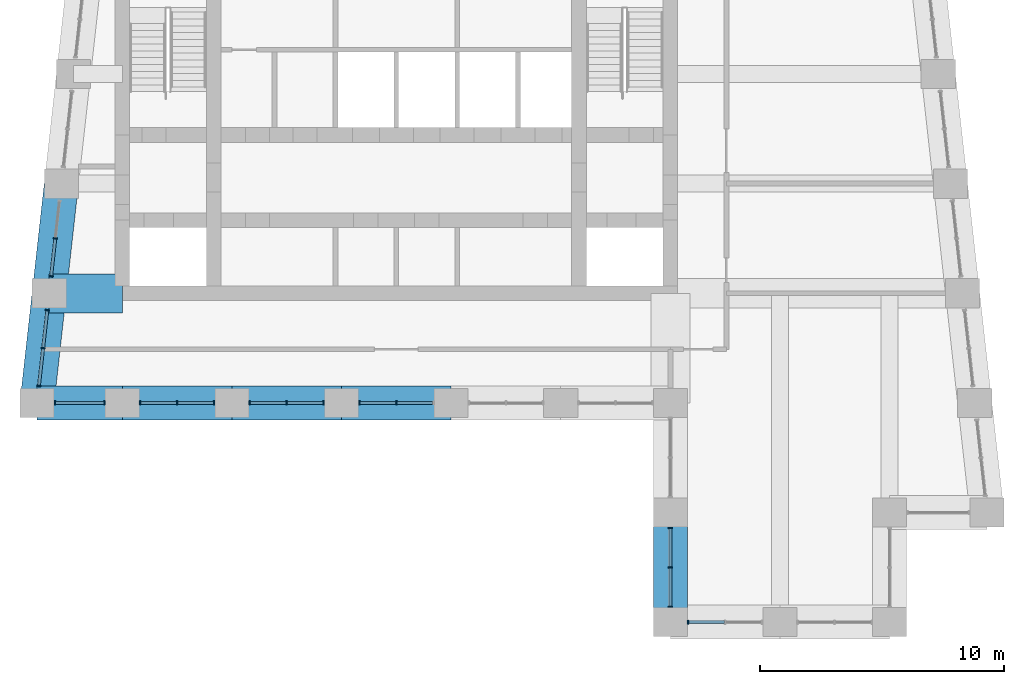
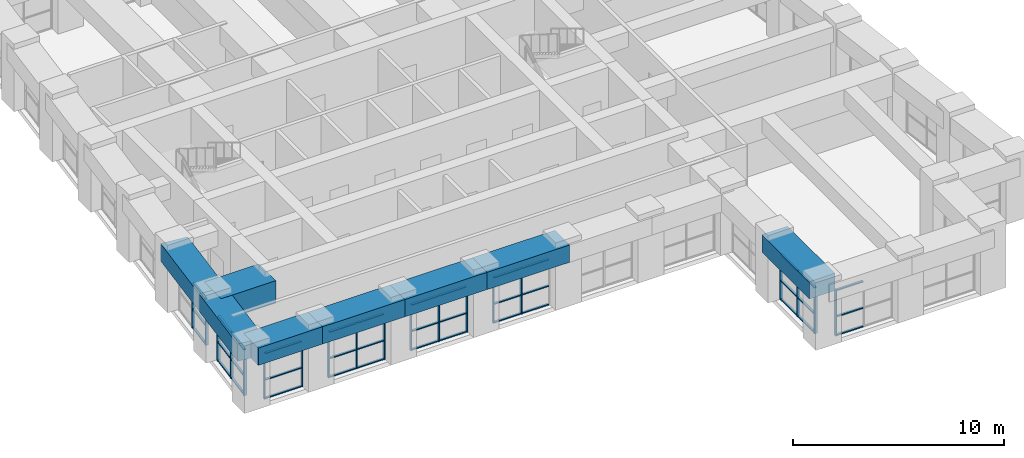
# One storey, part 2 of 15: 58 members, 8 beams, 8 elements without a shape of their own.
"""IFC4 building model written with IfcOpenShell, lengths in metres."""

from ifc_helpers import new_model, si_unit, direction, frame, origin, origin_2d, place, context, subcontext, project, spatial, rectangle, extrude, material, material_profile, profile_set, type_object, element, aggregate, save


model = new_model("IFC4")

# Units and contexts
model_context = context("Model", 3, precision=1e-05, world=origin(), true_north=direction((0.0, 1.0)))
body_context = subcontext(model_context, "Body", "Model", "MODEL_VIEW")
ifc_project = project(units=[si_unit("LENGTHUNIT", "METRE"), si_unit("AREAUNIT", "SQUARE_METRE"), si_unit("VOLUMEUNIT", "CUBIC_METRE"), si_unit("PLANEANGLEUNIT", "RADIAN"), si_unit("MASSUNIT", "GRAM", prefix="KILO")], contexts=[model_context])

# Site, building, storey
site_placement = place(None, origin())
site = spatial("IfcSite", under=ifc_project, at=site_placement, CompositionType="ELEMENT")
building_placement = place(site_placement, origin())
building = spatial("IfcBuilding", under=site, at=building_placement, Name="Kilele Tower Hotel", CompositionType="ELEMENT")
storey_placement = place(building_placement, frame((0.0, 0.0, 285.800048828125)))
storey = spatial("IfcBuildingStorey", under=building, at=storey_placement, Name="L73", CompositionType="ELEMENT", Elevation=285.800048828125)

# Beam
ifc_material_1 = material(Name="Concrete C60/75", Category="concrete")
ifc_material_profile_1 = material_profile(ifc_material_1, rectangle(XDim=1.60009765625, YDim=1.300048828125, at=origin_2d()))
ifc_profile_set_1 = profile_set([ifc_material_profile_1], Name="Concrete C60/75")
beam_type_1 = type_object("IfcBeamType", Name="Coupling girder RC 1600x1300 C60/75", PredefinedType="BEAM", material=ifc_profile_set_1)
beam_1_placement = place(storey_placement, frame((10.5, 13.5, 2.949951171875), z_axis=(1.0, 0.0, 0.0), x_axis=(0.0, 1.0, 0.0)))
element("IfcBeam", 1, at=beam_1_placement, inside=storey, type_object=beam_type_1, Name="Coupling girder G2 level CROWN", PredefinedType="BEAM", context=body_context, shape_type="SweptSolid", body=[
    extrude(rectangle(XDim=1.60009765625, YDim=1.300048828125, at=origin_2d()), origin(), (0.0, 0.0, 1.0), 3.0),
])

# Curtain wall, members
ifc_material_2 = material(Name="Aluminium curtain wall, clear double glazing", Category="aluminium")
curtain_wall_type = type_object("IfcCurtainWallType", Name="Sky bar curtain wall CW-6", PredefinedType="NOTDEFINED", material=ifc_material_2)
curtain_wall_1_placement = place(storey_placement, origin())
curtain_wall_1 = element("IfcCurtainWall", 2, at=curtain_wall_1_placement, inside=storey, type_object=curtain_wall_type, Name="Sky bar curtain wall CW-6 L73", PredefinedType="NOTDEFINED")
ifc_material_3 = material(Name="Aluminium EN AW-6063 T6", Category="aluminium")
ifc_material_profile_2 = material_profile(ifc_material_3, rectangle(XDim=0.159912109375, YDim=0.06005859375, at=origin_2d()))
ifc_profile_set_2 = profile_set([ifc_material_profile_2], Name="Aluminium EN AW-6063 T6")
member_type_1 = type_object("IfcMemberType", Name="Mullion 60x160 CW-6", PredefinedType="MULLION", material=ifc_profile_set_2)
member_1_placement = place(storey_placement, frame((10.72998046875, 9.0, 0.0), z_axis=(0.0, 0.0, 1.0), x_axis=(0.0, 1.0, 0.0)))
member_1 = element("IfcMember", 3, at=member_1_placement, type_object=member_type_1, Name="CW-6 mullion 1", PredefinedType="MULLION", context=body_context, shape_type="SweptSolid", body=[
    extrude(rectangle(XDim=0.159912109375, YDim=0.06005859375, at=origin_2d()), origin(), (0.0, 0.0, 1.0), 2.64990234375),
])
member_2_placement = place(storey_placement, frame((12.77001953125, 9.0, 0.0), z_axis=(0.0, 0.0, 1.0), x_axis=(0.0, 1.0, 0.0)))
member_2 = element("IfcMember", 4, at=member_2_placement, type_object=member_type_1, Name="CW-6 mullion 2", PredefinedType="MULLION", context=body_context, shape_type="SweptSolid", body=[
    extrude(rectangle(XDim=0.159912109375, YDim=0.06005859375, at=origin_2d()), origin(), (0.0, 0.0, 1.0), 2.64990234375),
])

curtain_wall_2_placement = place(storey_placement, origin())
curtain_wall_2 = element("IfcCurtainWall", 5, at=curtain_wall_2_placement, inside=storey, type_object=curtain_wall_type, Name="Sky bar curtain wall CW-6 L73", PredefinedType="NOTDEFINED")
member_3_placement = place(storey_placement, frame((14.22998046875, 9.0, 0.0), z_axis=(0.0, 0.0, 1.0), x_axis=(0.0, 1.0, 0.0)))
member_3 = element("IfcMember", 6, at=member_3_placement, type_object=member_type_1, Name="CW-6 mullion 1", PredefinedType="MULLION", context=body_context, shape_type="SweptSolid", body=[
    extrude(rectangle(XDim=0.159912109375, YDim=0.06005859375, at=origin_2d()), origin(), (0.0, 0.0, 1.0), 2.64990234375),
])
member_4_placement = place(storey_placement, frame((15.75, 9.0, 0.0), z_axis=(0.0, 0.0, 1.0), x_axis=(0.0, 1.0, 0.0)))
member_4 = element("IfcMember", 7, at=member_4_placement, type_object=member_type_1, Name="CW-6 mullion 2", PredefinedType="MULLION", context=body_context, shape_type="SweptSolid", body=[
    extrude(rectangle(XDim=0.159912109375, YDim=0.06005859375, at=origin_2d()), origin(), (0.0, 0.0, 1.0), 2.64990234375),
])
member_5_placement = place(storey_placement, frame((17.27001953125, 9.0, 0.0), z_axis=(0.0, 0.0, 1.0), x_axis=(0.0, 1.0, 0.0)))
member_5 = element("IfcMember", 8, at=member_5_placement, type_object=member_type_1, Name="CW-6 mullion 3", PredefinedType="MULLION", context=body_context, shape_type="SweptSolid", body=[
    extrude(rectangle(XDim=0.159912109375, YDim=0.06005859375, at=origin_2d()), origin(), (0.0, 0.0, 1.0), 2.64990234375),
])

curtain_wall_3_placement = place(storey_placement, origin())
curtain_wall_3 = element("IfcCurtainWall", 9, at=curtain_wall_3_placement, inside=storey, type_object=curtain_wall_type, Name="Sky bar curtain wall CW-6 L73", PredefinedType="NOTDEFINED")
member_6_placement = place(storey_placement, frame((18.72998046875, 9.0, 0.0), z_axis=(0.0, 0.0, 1.0), x_axis=(0.0, 1.0, 0.0)))
member_6 = element("IfcMember", 10, at=member_6_placement, type_object=member_type_1, Name="CW-6 mullion 1", PredefinedType="MULLION", context=body_context, shape_type="SweptSolid", body=[
    extrude(rectangle(XDim=0.159912109375, YDim=0.06005859375, at=origin_2d()), origin(), (0.0, 0.0, 1.0), 2.64990234375),
])
member_7_placement = place(storey_placement, frame((20.25, 9.0, 0.0), z_axis=(0.0, 0.0, 1.0), x_axis=(0.0, 1.0, 0.0)))
member_7 = element("IfcMember", 11, at=member_7_placement, type_object=member_type_1, Name="CW-6 mullion 2", PredefinedType="MULLION", context=body_context, shape_type="SweptSolid", body=[
    extrude(rectangle(XDim=0.159912109375, YDim=0.06005859375, at=origin_2d()), origin(), (0.0, 0.0, 1.0), 2.64990234375),
])
member_8_placement = place(storey_placement, frame((21.77001953125, 9.0, 0.0), z_axis=(0.0, 0.0, 1.0), x_axis=(0.0, 1.0, 0.0)))
member_8 = element("IfcMember", 12, at=member_8_placement, type_object=member_type_1, Name="CW-6 mullion 3", PredefinedType="MULLION", context=body_context, shape_type="SweptSolid", body=[
    extrude(rectangle(XDim=0.159912109375, YDim=0.06005859375, at=origin_2d()), origin(), (0.0, 0.0, 1.0), 2.64990234375),
])

curtain_wall_4_placement = place(storey_placement, origin())
curtain_wall_4 = element("IfcCurtainWall", 13, at=curtain_wall_4_placement, inside=storey, type_object=curtain_wall_type, Name="Sky bar curtain wall CW-6 L73", PredefinedType="NOTDEFINED")
member_9_placement = place(storey_placement, frame((23.22998046875, 9.0, 0.0), z_axis=(0.0, 0.0, 1.0), x_axis=(0.0, 1.0, 0.0)))
member_9 = element("IfcMember", 14, at=member_9_placement, type_object=member_type_1, Name="CW-6 mullion 1", PredefinedType="MULLION", context=body_context, shape_type="SweptSolid", body=[
    extrude(rectangle(XDim=0.159912109375, YDim=0.06005859375, at=origin_2d()), origin(), (0.0, 0.0, 1.0), 2.64990234375),
])
member_10_placement = place(storey_placement, frame((24.75, 9.0, 0.0), z_axis=(0.0, 0.0, 1.0), x_axis=(0.0, 1.0, 0.0)))
member_10 = element("IfcMember", 15, at=member_10_placement, type_object=member_type_1, Name="CW-6 mullion 2", PredefinedType="MULLION", context=body_context, shape_type="SweptSolid", body=[
    extrude(rectangle(XDim=0.159912109375, YDim=0.06005859375, at=origin_2d()), origin(), (0.0, 0.0, 1.0), 2.64990234375),
])

curtain_wall_5_placement = place(storey_placement, origin())
curtain_wall_5 = element("IfcCurtainWall", 16, at=curtain_wall_5_placement, inside=storey, type_object=curtain_wall_type, Name="Sky bar curtain wall CW-6 L73", PredefinedType="NOTDEFINED")
member_11_placement = place(storey_placement, frame((36.0, 3.8701171875, 0.0), z_axis=(0.0, 0.0, 1.0), x_axis=(1.0, 0.0, 0.0)))
member_11 = element("IfcMember", 17, at=member_11_placement, type_object=member_type_1, Name="CW-6 mullion 1", PredefinedType="MULLION", context=body_context, shape_type="SweptSolid", body=[
    extrude(rectangle(XDim=0.159912109375, YDim=0.06005859375, at=origin_2d()), origin(), (0.0, 0.0, 1.0), 2.64990234375),
])
member_12_placement = place(storey_placement, frame((36.0, 2.25, 0.0), z_axis=(0.0, 0.0, 1.0), x_axis=(1.0, 0.0, 0.0)))
member_12 = element("IfcMember", 18, at=member_12_placement, type_object=member_type_1, Name="CW-6 mullion 2", PredefinedType="MULLION", context=body_context, shape_type="SweptSolid", body=[
    extrude(rectangle(XDim=0.159912109375, YDim=0.06005859375, at=origin_2d()), origin(), (0.0, 0.0, 1.0), 2.64990234375),
])
member_13_placement = place(storey_placement, frame((36.0, 0.6298828125, 0.0), z_axis=(0.0, 0.0, 1.0), x_axis=(1.0, 0.0, 0.0)))
member_13 = element("IfcMember", 19, at=member_13_placement, type_object=member_type_1, Name="CW-6 mullion 3", PredefinedType="MULLION", context=body_context, shape_type="SweptSolid", body=[
    extrude(rectangle(XDim=0.159912109375, YDim=0.06005859375, at=origin_2d()), origin(), (0.0, 0.0, 1.0), 2.64990234375),
])

# Curtain wall, member
curtain_wall_6_placement = place(storey_placement, origin())
curtain_wall_6 = element("IfcCurtainWall", 20, at=curtain_wall_6_placement, inside=storey, type_object=curtain_wall_type, Name="Sky bar curtain wall CW-6 L73", PredefinedType="NOTDEFINED")
member_14_placement = place(storey_placement, frame((36.72998046875, 0.0, 0.0), z_axis=(0.0, 0.0, 1.0), x_axis=(0.0, 1.0, 0.0)))
member_14 = element("IfcMember", 21, at=member_14_placement, type_object=member_type_1, Name="CW-6 mullion 1", PredefinedType="MULLION", context=body_context, shape_type="SweptSolid", body=[
    extrude(rectangle(XDim=0.159912109375, YDim=0.06005859375, at=origin_2d()), origin(), (0.0, 0.0, 1.0), 2.64990234375),
])

# Curtain wall, members
curtain_wall_7_placement = place(storey_placement, origin())
curtain_wall_7 = element("IfcCurtainWall", 22, at=curtain_wall_7_placement, inside=storey, type_object=curtain_wall_type, Name="Sky bar curtain wall CW-6 L73", PredefinedType="NOTDEFINED")
member_15_placement = place(storey_placement, frame((10.75, 15.75, 0.0), z_axis=(0.0, 0.0, 1.0), x_axis=(0.993883734681, -0.110431526007, 0.0)))
member_15 = element("IfcMember", 23, at=member_15_placement, type_object=member_type_1, Name="CW-6 mullion 2", PredefinedType="MULLION", context=body_context, shape_type="SweptSolid", body=[
    extrude(rectangle(XDim=0.159912109375, YDim=0.06005859375, at=origin_2d()), origin(), (0.0, 0.0, 1.0), 2.64990234375),
])
member_16_placement = place(storey_placement, frame((10.57763671875, 14.19921875, 0.0), z_axis=(0.0, 0.0, 1.0), x_axis=(0.993883734681, -0.110431526007, 0.0)))
member_16 = element("IfcMember", 24, at=member_16_placement, type_object=member_type_1, Name="CW-6 mullion 3", PredefinedType="MULLION", context=body_context, shape_type="SweptSolid", body=[
    extrude(rectangle(XDim=0.159912109375, YDim=0.06005859375, at=origin_2d()), origin(), (0.0, 0.0, 1.0), 2.64990234375),
])

curtain_wall_8_placement = place(storey_placement, origin())
curtain_wall_8 = element("IfcCurtainWall", 25, at=curtain_wall_8_placement, inside=storey, type_object=curtain_wall_type, Name="Sky bar curtain wall CW-6 L73", PredefinedType="NOTDEFINED")
member_17_placement = place(storey_placement, frame((10.42236328125, 12.80078125, 0.0), z_axis=(0.0, 0.0, 1.0), x_axis=(0.993883734681, -0.110431526007, 0.0)))
member_17 = element("IfcMember", 26, at=member_17_placement, type_object=member_type_1, Name="CW-6 mullion 1", PredefinedType="MULLION", context=body_context, shape_type="SweptSolid", body=[
    extrude(rectangle(XDim=0.159912109375, YDim=0.06005859375, at=origin_2d()), origin(), (0.0, 0.0, 1.0), 2.64990234375),
])
member_18_placement = place(storey_placement, frame((10.25, 11.25, 0.0), z_axis=(0.0, 0.0, 1.0), x_axis=(0.993883734681, -0.110431526007, 0.0)))
member_18 = element("IfcMember", 27, at=member_18_placement, type_object=member_type_1, Name="CW-6 mullion 2", PredefinedType="MULLION", context=body_context, shape_type="SweptSolid", body=[
    extrude(rectangle(XDim=0.159912109375, YDim=0.06005859375, at=origin_2d()), origin(), (0.0, 0.0, 1.0), 2.64990234375),
])
member_19_placement = place(storey_placement, frame((10.07763671875, 9.69921875, 0.0), z_axis=(0.0, 0.0, 1.0), x_axis=(0.993883734681, -0.110431526007, 0.0)))
member_19 = element("IfcMember", 28, at=member_19_placement, type_object=member_type_1, Name="CW-6 mullion 3", PredefinedType="MULLION", context=body_context, shape_type="SweptSolid", body=[
    extrude(rectangle(XDim=0.159912109375, YDim=0.06005859375, at=origin_2d()), origin(), (0.0, 0.0, 1.0), 2.64990234375),
])

# Beams
ifc_material_4 = material(Name="Concrete C60/75", Category="concrete")
ifc_material_profile_3 = material_profile(ifc_material_4, rectangle(XDim=1.39990234375, YDim=1.0, at=origin_2d()))
ifc_profile_set_3 = profile_set([ifc_material_profile_3], Name="Concrete C60/75")
beam_type_2 = type_object("IfcBeamType", Name="Spandrel RC 1400x1000 C60/75", PredefinedType="SPANDREL", material=ifc_profile_set_3)
beam_2_placement = place(storey_placement, frame((10.0, 9.0, 3.099853515625), z_axis=(1.0, 0.0, 0.0), x_axis=(0.0, 1.0, 0.0)))
element("IfcBeam", 29, at=beam_2_placement, inside=storey, type_object=beam_type_2, Name="Spandrel SP1 level CROWN", PredefinedType="SPANDREL", context=body_context, shape_type="SweptSolid", body=[
    extrude(rectangle(XDim=1.39990234375, YDim=1.0, at=origin_2d()), origin(), (0.0, 0.0, 1.0), 3.5),
])
for number, where, z_axis, x_axis, name in (
    (30, (13.5, 9.0, 3.099853515625), (1.0, 0.0, 0.0), (0.0, 1.0, 0.0), "Spandrel SP1 level CROWN"),
    (31, (18.0, 9.0, 3.099853515625), (1.0, 0.0, 0.0), (0.0, 1.0, 0.0), "Spandrel SP1 level CROWN"),
    (32, (22.5, 9.0, 3.099853515625), (1.0, 0.0, 0.0), (0.0, 1.0, 0.0), "Spandrel SP1 level CROWN"),
    (33, (36.0, 4.5, 3.099853515625), (0.0, -1.0, 0.0), (1.0, 0.0, 0.0), "Spandrel SP1 level CROWN"),
):
    element("IfcBeam", number, at=place(storey_placement, frame(where, z_axis=z_axis, x_axis=x_axis)), inside=storey, type_object=beam_type_2, Name=name, PredefinedType="SPANDREL", context=body_context, shape_type="SweptSolid", body=[
        extrude(rectangle(XDim=1.39990234375, YDim=1.0, at=origin_2d()), origin(), (0.0, 0.0, 1.0), 4.5),
    ])
for number, where, z_axis, x_axis, name in (
    (34, (11.0, 18.0, 3.099853515625), (-0.110431526075, -0.993883734674, 0.0), (0.993883734674, -0.110431526075, 0.0), "Spandrel SP1 level CROWN"),
    (35, (10.5, 13.5, 3.099853515625), (-0.110431526075, -0.993883734674, 0.0), (0.993883734674, -0.110431526075, 0.0), "Spandrel SP1 level CROWN"),
):
    element("IfcBeam", number, at=place(storey_placement, frame(where, z_axis=z_axis, x_axis=x_axis)), inside=storey, type_object=beam_type_2, Name=name, PredefinedType="SPANDREL", context=body_context, shape_type="SweptSolid", body=[
        extrude(rectangle(XDim=1.39990234375, YDim=1.0, at=origin_2d()), origin(), (0.0, 0.0, 1.0), 4.527587890625),
    ])

# Member
ifc_material_5 = material(Name="Aluminium EN AW-6063 T6", Category="aluminium")
ifc_material_profile_4 = material_profile(ifc_material_5, rectangle(XDim=0.1201171875, YDim=0.06005859375, at=origin_2d()))
ifc_profile_set_4 = profile_set([ifc_material_profile_4], Name="Aluminium EN AW-6063 T6")
member_type_2 = type_object("IfcMemberType", Name="Transom 60x120 CW-6", PredefinedType="USERDEFINED", material=ifc_profile_set_4)
member_20_placement = place(storey_placement, frame((10.760009765625, 9.0, 0.030029296875), z_axis=(1.0, 0.0, 0.0), x_axis=(0.0, 1.0, 0.0)))
member_20 = element("IfcMember", 36, at=member_20_placement, type_object=member_type_2, Name="CW-6 transom 1.1", ObjectType="TRANSOM", PredefinedType="USERDEFINED", context=body_context, shape_type="SweptSolid", body=[
    extrude(rectangle(XDim=0.1201171875, YDim=0.06005859375, at=origin_2d()), origin(), (0.0, 0.0, 1.0), 1.97998046875),
])

member_21_placement = place(storey_placement, frame((10.760009765625, 9.0, 1.099853515625), z_axis=(1.0, 0.0, 0.0), x_axis=(0.0, 1.0, 0.0)))
member_21 = element("IfcMember", 37, at=member_21_placement, type_object=member_type_2, Name="CW-6 transom 1.2", ObjectType="TRANSOM", PredefinedType="USERDEFINED", context=body_context, shape_type="SweptSolid", body=[
    extrude(rectangle(XDim=0.1201171875, YDim=0.06005859375, at=origin_2d()), origin(), (0.0, 0.0, 1.0), 1.97998046875),
])

member_22_placement = place(storey_placement, frame((10.760009765625, 9.0, 2.619873046875), z_axis=(1.0, 0.0, 0.0), x_axis=(0.0, 1.0, 0.0)))
member_22 = element("IfcMember", 38, at=member_22_placement, type_object=member_type_2, Name="CW-6 transom 1.3", ObjectType="TRANSOM", PredefinedType="USERDEFINED", context=body_context, shape_type="SweptSolid", body=[
    extrude(rectangle(XDim=0.1201171875, YDim=0.06005859375, at=origin_2d()), origin(), (0.0, 0.0, 1.0), 1.97998046875),
])

aggregate(curtain_wall_1, [member_1, member_2, member_20, member_21, member_22])

member_23_placement = place(storey_placement, frame((14.260009765625, 9.0, 0.030029296875), z_axis=(1.0, 0.0, 0.0), x_axis=(0.0, 1.0, 0.0)))
member_23 = element("IfcMember", 39, at=member_23_placement, type_object=member_type_2, Name="CW-6 transom 1.1", ObjectType="TRANSOM", PredefinedType="USERDEFINED", context=body_context, shape_type="SweptSolid", body=[
    extrude(rectangle(XDim=0.1201171875, YDim=0.06005859375, at=origin_2d()), origin(), (0.0, 0.0, 1.0), 1.4599609375),
])

member_24_placement = place(storey_placement, frame((14.260009765625, 9.0, 1.099853515625), z_axis=(1.0, 0.0, 0.0), x_axis=(0.0, 1.0, 0.0)))
member_24 = element("IfcMember", 40, at=member_24_placement, type_object=member_type_2, Name="CW-6 transom 1.2", ObjectType="TRANSOM", PredefinedType="USERDEFINED", context=body_context, shape_type="SweptSolid", body=[
    extrude(rectangle(XDim=0.1201171875, YDim=0.06005859375, at=origin_2d()), origin(), (0.0, 0.0, 1.0), 1.4599609375),
])

member_25_placement = place(storey_placement, frame((14.260009765625, 9.0, 2.619873046875), z_axis=(1.0, 0.0, 0.0), x_axis=(0.0, 1.0, 0.0)))
member_25 = element("IfcMember", 41, at=member_25_placement, type_object=member_type_2, Name="CW-6 transom 1.3", ObjectType="TRANSOM", PredefinedType="USERDEFINED", context=body_context, shape_type="SweptSolid", body=[
    extrude(rectangle(XDim=0.1201171875, YDim=0.06005859375, at=origin_2d()), origin(), (0.0, 0.0, 1.0), 1.4599609375),
])

member_26_placement = place(storey_placement, frame((15.780029296875, 9.0, 0.030029296875), z_axis=(1.0, 0.0, 0.0), x_axis=(0.0, 1.0, 0.0)))
member_26 = element("IfcMember", 42, at=member_26_placement, type_object=member_type_2, Name="CW-6 transom 2.1", ObjectType="TRANSOM", PredefinedType="USERDEFINED", context=body_context, shape_type="SweptSolid", body=[
    extrude(rectangle(XDim=0.1201171875, YDim=0.06005859375, at=origin_2d()), origin(), (0.0, 0.0, 1.0), 1.4599609375),
])

member_27_placement = place(storey_placement, frame((15.780029296875, 9.0, 1.099853515625), z_axis=(1.0, 0.0, 0.0), x_axis=(0.0, 1.0, 0.0)))
member_27 = element("IfcMember", 43, at=member_27_placement, type_object=member_type_2, Name="CW-6 transom 2.2", ObjectType="TRANSOM", PredefinedType="USERDEFINED", context=body_context, shape_type="SweptSolid", body=[
    extrude(rectangle(XDim=0.1201171875, YDim=0.06005859375, at=origin_2d()), origin(), (0.0, 0.0, 1.0), 1.4599609375),
])

member_28_placement = place(storey_placement, frame((15.780029296875, 9.0, 2.619873046875), z_axis=(1.0, 0.0, 0.0), x_axis=(0.0, 1.0, 0.0)))
member_28 = element("IfcMember", 44, at=member_28_placement, type_object=member_type_2, Name="CW-6 transom 2.3", ObjectType="TRANSOM", PredefinedType="USERDEFINED", context=body_context, shape_type="SweptSolid", body=[
    extrude(rectangle(XDim=0.1201171875, YDim=0.06005859375, at=origin_2d()), origin(), (0.0, 0.0, 1.0), 1.4599609375),
])

aggregate(curtain_wall_2, [member_3, member_4, member_5, member_23, member_24, member_25, member_26, member_27, member_28])

member_29_placement = place(storey_placement, frame((18.760009765625, 9.0, 0.030029296875), z_axis=(1.0, 0.0, 0.0), x_axis=(0.0, 1.0, 0.0)))
member_29 = element("IfcMember", 45, at=member_29_placement, type_object=member_type_2, Name="CW-6 transom 1.1", ObjectType="TRANSOM", PredefinedType="USERDEFINED", context=body_context, shape_type="SweptSolid", body=[
    extrude(rectangle(XDim=0.1201171875, YDim=0.06005859375, at=origin_2d()), origin(), (0.0, 0.0, 1.0), 1.4599609375),
])

member_30_placement = place(storey_placement, frame((18.760009765625, 9.0, 1.099853515625), z_axis=(1.0, 0.0, 0.0), x_axis=(0.0, 1.0, 0.0)))
member_30 = element("IfcMember", 46, at=member_30_placement, type_object=member_type_2, Name="CW-6 transom 1.2", ObjectType="TRANSOM", PredefinedType="USERDEFINED", context=body_context, shape_type="SweptSolid", body=[
    extrude(rectangle(XDim=0.1201171875, YDim=0.06005859375, at=origin_2d()), origin(), (0.0, 0.0, 1.0), 1.4599609375),
])

member_31_placement = place(storey_placement, frame((18.760009765625, 9.0, 2.619873046875), z_axis=(1.0, 0.0, 0.0), x_axis=(0.0, 1.0, 0.0)))
member_31 = element("IfcMember", 47, at=member_31_placement, type_object=member_type_2, Name="CW-6 transom 1.3", ObjectType="TRANSOM", PredefinedType="USERDEFINED", context=body_context, shape_type="SweptSolid", body=[
    extrude(rectangle(XDim=0.1201171875, YDim=0.06005859375, at=origin_2d()), origin(), (0.0, 0.0, 1.0), 1.4599609375),
])

member_32_placement = place(storey_placement, frame((20.280029296875, 9.0, 0.030029296875), z_axis=(1.0, 0.0, 0.0), x_axis=(0.0, 1.0, 0.0)))
member_32 = element("IfcMember", 48, at=member_32_placement, type_object=member_type_2, Name="CW-6 transom 2.1", ObjectType="TRANSOM", PredefinedType="USERDEFINED", context=body_context, shape_type="SweptSolid", body=[
    extrude(rectangle(XDim=0.1201171875, YDim=0.06005859375, at=origin_2d()), origin(), (0.0, 0.0, 1.0), 1.4599609375),
])

member_33_placement = place(storey_placement, frame((20.280029296875, 9.0, 1.099853515625), z_axis=(1.0, 0.0, 0.0), x_axis=(0.0, 1.0, 0.0)))
member_33 = element("IfcMember", 49, at=member_33_placement, type_object=member_type_2, Name="CW-6 transom 2.2", ObjectType="TRANSOM", PredefinedType="USERDEFINED", context=body_context, shape_type="SweptSolid", body=[
    extrude(rectangle(XDim=0.1201171875, YDim=0.06005859375, at=origin_2d()), origin(), (0.0, 0.0, 1.0), 1.4599609375),
])

member_34_placement = place(storey_placement, frame((20.280029296875, 9.0, 2.619873046875), z_axis=(1.0, 0.0, 0.0), x_axis=(0.0, 1.0, 0.0)))
member_34 = element("IfcMember", 50, at=member_34_placement, type_object=member_type_2, Name="CW-6 transom 2.3", ObjectType="TRANSOM", PredefinedType="USERDEFINED", context=body_context, shape_type="SweptSolid", body=[
    extrude(rectangle(XDim=0.1201171875, YDim=0.06005859375, at=origin_2d()), origin(), (0.0, 0.0, 1.0), 1.4599609375),
])

aggregate(curtain_wall_3, [member_6, member_7, member_8, member_29, member_30, member_31, member_32, member_33, member_34])

member_35_placement = place(storey_placement, frame((23.260009765625, 9.0, 0.030029296875), z_axis=(1.0, 0.0, 0.0), x_axis=(0.0, 1.0, 0.0)))
member_35 = element("IfcMember", 51, at=member_35_placement, type_object=member_type_2, Name="CW-6 transom 1.1", ObjectType="TRANSOM", PredefinedType="USERDEFINED", context=body_context, shape_type="SweptSolid", body=[
    extrude(rectangle(XDim=0.1201171875, YDim=0.06005859375, at=origin_2d()), origin(), (0.0, 0.0, 1.0), 1.4599609375),
])

member_36_placement = place(storey_placement, frame((23.260009765625, 9.0, 1.099853515625), z_axis=(1.0, 0.0, 0.0), x_axis=(0.0, 1.0, 0.0)))
member_36 = element("IfcMember", 52, at=member_36_placement, type_object=member_type_2, Name="CW-6 transom 1.2", ObjectType="TRANSOM", PredefinedType="USERDEFINED", context=body_context, shape_type="SweptSolid", body=[
    extrude(rectangle(XDim=0.1201171875, YDim=0.06005859375, at=origin_2d()), origin(), (0.0, 0.0, 1.0), 1.4599609375),
])

member_37_placement = place(storey_placement, frame((23.260009765625, 9.0, 2.619873046875), z_axis=(1.0, 0.0, 0.0), x_axis=(0.0, 1.0, 0.0)))
member_37 = element("IfcMember", 53, at=member_37_placement, type_object=member_type_2, Name="CW-6 transom 1.3", ObjectType="TRANSOM", PredefinedType="USERDEFINED", context=body_context, shape_type="SweptSolid", body=[
    extrude(rectangle(XDim=0.1201171875, YDim=0.06005859375, at=origin_2d()), origin(), (0.0, 0.0, 1.0), 1.4599609375),
])

member_38_placement = place(storey_placement, frame((24.780029296875, 9.0, 0.030029296875), z_axis=(1.0, 0.0, 0.0), x_axis=(0.0, 1.0, 0.0)))
member_38 = element("IfcMember", 54, at=member_38_placement, type_object=member_type_2, Name="CW-6 transom 2.1", ObjectType="TRANSOM", PredefinedType="USERDEFINED", context=body_context, shape_type="SweptSolid", body=[
    extrude(rectangle(XDim=0.1201171875, YDim=0.06005859375, at=origin_2d()), origin(), (0.0, 0.0, 1.0), 1.4599609375),
])

member_39_placement = place(storey_placement, frame((24.780029296875, 9.0, 1.099853515625), z_axis=(1.0, 0.0, 0.0), x_axis=(0.0, 1.0, 0.0)))
member_39 = element("IfcMember", 55, at=member_39_placement, type_object=member_type_2, Name="CW-6 transom 2.2", ObjectType="TRANSOM", PredefinedType="USERDEFINED", context=body_context, shape_type="SweptSolid", body=[
    extrude(rectangle(XDim=0.1201171875, YDim=0.06005859375, at=origin_2d()), origin(), (0.0, 0.0, 1.0), 1.4599609375),
])

member_40_placement = place(storey_placement, frame((24.780029296875, 9.0, 2.619873046875), z_axis=(1.0, 0.0, 0.0), x_axis=(0.0, 1.0, 0.0)))
member_40 = element("IfcMember", 56, at=member_40_placement, type_object=member_type_2, Name="CW-6 transom 2.3", ObjectType="TRANSOM", PredefinedType="USERDEFINED", context=body_context, shape_type="SweptSolid", body=[
    extrude(rectangle(XDim=0.1201171875, YDim=0.06005859375, at=origin_2d()), origin(), (0.0, 0.0, 1.0), 1.4599609375),
])

aggregate(curtain_wall_4, [member_9, member_10, member_35, member_36, member_37, member_38, member_39, member_40])

member_41_placement = place(storey_placement, frame((36.0, 3.840087890625, 0.030029296875), z_axis=(0.0, -1.0, 0.0), x_axis=(1.0, 0.0, 0.0)))
member_41 = element("IfcMember", 57, at=member_41_placement, type_object=member_type_2, Name="CW-6 transom 1.1", ObjectType="TRANSOM", PredefinedType="USERDEFINED", context=body_context, shape_type="SweptSolid", body=[
    extrude(rectangle(XDim=0.1201171875, YDim=0.06005859375, at=origin_2d()), origin(), (0.0, 0.0, 1.0), 1.56005859375),
])

member_42_placement = place(storey_placement, frame((36.0, 3.840087890625, 1.099853515625), z_axis=(0.0, -1.0, 0.0), x_axis=(1.0, 0.0, 0.0)))
member_42 = element("IfcMember", 58, at=member_42_placement, type_object=member_type_2, Name="CW-6 transom 1.2", ObjectType="TRANSOM", PredefinedType="USERDEFINED", context=body_context, shape_type="SweptSolid", body=[
    extrude(rectangle(XDim=0.1201171875, YDim=0.06005859375, at=origin_2d()), origin(), (0.0, 0.0, 1.0), 1.56005859375),
])

member_43_placement = place(storey_placement, frame((36.0, 3.840087890625, 2.619873046875), z_axis=(0.0, -1.0, 0.0), x_axis=(1.0, 0.0, 0.0)))
member_43 = element("IfcMember", 59, at=member_43_placement, type_object=member_type_2, Name="CW-6 transom 1.3", ObjectType="TRANSOM", PredefinedType="USERDEFINED", context=body_context, shape_type="SweptSolid", body=[
    extrude(rectangle(XDim=0.1201171875, YDim=0.06005859375, at=origin_2d()), origin(), (0.0, 0.0, 1.0), 1.56005859375),
])

member_44_placement = place(storey_placement, frame((36.0, 2.219970703125, 0.030029296875), z_axis=(0.0, -1.0, 0.0), x_axis=(1.0, 0.0, 0.0)))
member_44 = element("IfcMember", 60, at=member_44_placement, type_object=member_type_2, Name="CW-6 transom 2.1", ObjectType="TRANSOM", PredefinedType="USERDEFINED", context=body_context, shape_type="SweptSolid", body=[
    extrude(rectangle(XDim=0.1201171875, YDim=0.06005859375, at=origin_2d()), origin(), (0.0, 0.0, 1.0), 1.56005859375),
])

member_45_placement = place(storey_placement, frame((36.0, 2.219970703125, 1.099853515625), z_axis=(0.0, -1.0, 0.0), x_axis=(1.0, 0.0, 0.0)))
member_45 = element("IfcMember", 61, at=member_45_placement, type_object=member_type_2, Name="CW-6 transom 2.2", ObjectType="TRANSOM", PredefinedType="USERDEFINED", context=body_context, shape_type="SweptSolid", body=[
    extrude(rectangle(XDim=0.1201171875, YDim=0.06005859375, at=origin_2d()), origin(), (0.0, 0.0, 1.0), 1.56005859375),
])

member_46_placement = place(storey_placement, frame((36.0, 2.219970703125, 2.619873046875), z_axis=(0.0, -1.0, 0.0), x_axis=(1.0, 0.0, 0.0)))
member_46 = element("IfcMember", 62, at=member_46_placement, type_object=member_type_2, Name="CW-6 transom 2.3", ObjectType="TRANSOM", PredefinedType="USERDEFINED", context=body_context, shape_type="SweptSolid", body=[
    extrude(rectangle(XDim=0.1201171875, YDim=0.06005859375, at=origin_2d()), origin(), (0.0, 0.0, 1.0), 1.56005859375),
])

aggregate(curtain_wall_5, [member_11, member_12, member_13, member_41, member_42, member_43, member_44, member_45, member_46])

member_47_placement = place(storey_placement, frame((36.760009765625, 0.0, 0.030029296875), z_axis=(1.0, 0.0, 0.0), x_axis=(0.0, 1.0, 0.0)))
member_47 = element("IfcMember", 63, at=member_47_placement, type_object=member_type_2, Name="CW-6 transom 1.1", ObjectType="TRANSOM", PredefinedType="USERDEFINED", context=body_context, shape_type="SweptSolid", body=[
    extrude(rectangle(XDim=0.1201171875, YDim=0.06005859375, at=origin_2d()), origin(), (0.0, 0.0, 1.0), 1.4599609375),
])

member_48_placement = place(storey_placement, frame((36.760009765625, 0.0, 1.099853515625), z_axis=(1.0, 0.0, 0.0), x_axis=(0.0, 1.0, 0.0)))
member_48 = element("IfcMember", 64, at=member_48_placement, type_object=member_type_2, Name="CW-6 transom 1.2", ObjectType="TRANSOM", PredefinedType="USERDEFINED", context=body_context, shape_type="SweptSolid", body=[
    extrude(rectangle(XDim=0.1201171875, YDim=0.06005859375, at=origin_2d()), origin(), (0.0, 0.0, 1.0), 1.4599609375),
])

member_49_placement = place(storey_placement, frame((36.760009765625, 0.0, 2.619873046875), z_axis=(1.0, 0.0, 0.0), x_axis=(0.0, 1.0, 0.0)))
member_49 = element("IfcMember", 65, at=member_49_placement, type_object=member_type_2, Name="CW-6 transom 1.3", ObjectType="TRANSOM", PredefinedType="USERDEFINED", context=body_context, shape_type="SweptSolid", body=[
    extrude(rectangle(XDim=0.1201171875, YDim=0.06005859375, at=origin_2d()), origin(), (0.0, 0.0, 1.0), 1.4599609375),
])

aggregate(curtain_wall_6, [member_14, member_47, member_48, member_49])

member_50_placement = place(storey_placement, frame((10.74658203125, 15.72021484375, 0.030029296875), z_axis=(-0.110342213455, -0.993893654236, 0.0), x_axis=(0.993893654236, -0.110342213455, 0.0)))
member_50 = element("IfcMember", 66, at=member_50_placement, type_object=member_type_2, Name="CW-6 transom 2.1", ObjectType="TRANSOM", PredefinedType="USERDEFINED", context=body_context, shape_type="SweptSolid", body=[
    extrude(rectangle(XDim=0.1201171875, YDim=0.06005859375, at=origin_2d()), origin(), (0.0, 0.0, 1.0), 1.500244140625),
])

member_51_placement = place(storey_placement, frame((10.74658203125, 15.72021484375, 1.099853515625), z_axis=(-0.110342213455, -0.993893654236, 0.0), x_axis=(0.993893654236, -0.110342213455, 0.0)))
member_51 = element("IfcMember", 67, at=member_51_placement, type_object=member_type_2, Name="CW-6 transom 2.2", ObjectType="TRANSOM", PredefinedType="USERDEFINED", context=body_context, shape_type="SweptSolid", body=[
    extrude(rectangle(XDim=0.1201171875, YDim=0.06005859375, at=origin_2d()), origin(), (0.0, 0.0, 1.0), 1.500244140625),
])

member_52_placement = place(storey_placement, frame((10.74658203125, 15.72021484375, 2.619873046875), z_axis=(-0.110342213455, -0.993893654236, 0.0), x_axis=(0.993893654236, -0.110342213455, 0.0)))
member_52 = element("IfcMember", 68, at=member_52_placement, type_object=member_type_2, Name="CW-6 transom 2.3", ObjectType="TRANSOM", PredefinedType="USERDEFINED", context=body_context, shape_type="SweptSolid", body=[
    extrude(rectangle(XDim=0.1201171875, YDim=0.06005859375, at=origin_2d()), origin(), (0.0, 0.0, 1.0), 1.500244140625),
])

aggregate(curtain_wall_7, [member_15, member_16, member_50, member_51, member_52])

member_53_placement = place(storey_placement, frame((10.4189453125, 12.770751953125, 0.030029296875), z_axis=(-0.110342213455, -0.993893654236, 0.0), x_axis=(0.993893654236, -0.110342213455, 0.0)))
member_53 = element("IfcMember", 69, at=member_53_placement, type_object=member_type_2, Name="CW-6 transom 1.1", ObjectType="TRANSOM", PredefinedType="USERDEFINED", context=body_context, shape_type="SweptSolid", body=[
    extrude(rectangle(XDim=0.1201171875, YDim=0.06005859375, at=origin_2d()), origin(), (0.0, 0.0, 1.0), 1.500244140625),
])

member_54_placement = place(storey_placement, frame((10.4189453125, 12.770751953125, 1.099853515625), z_axis=(-0.110342213455, -0.993893654236, 0.0), x_axis=(0.993893654236, -0.110342213455, 0.0)))
member_54 = element("IfcMember", 70, at=member_54_placement, type_object=member_type_2, Name="CW-6 transom 1.2", ObjectType="TRANSOM", PredefinedType="USERDEFINED", context=body_context, shape_type="SweptSolid", body=[
    extrude(rectangle(XDim=0.1201171875, YDim=0.06005859375, at=origin_2d()), origin(), (0.0, 0.0, 1.0), 1.500244140625),
])

member_55_placement = place(storey_placement, frame((10.4189453125, 12.770751953125, 2.619873046875), z_axis=(-0.110342213455, -0.993893654236, 0.0), x_axis=(0.993893654236, -0.110342213455, 0.0)))
member_55 = element("IfcMember", 71, at=member_55_placement, type_object=member_type_2, Name="CW-6 transom 1.3", ObjectType="TRANSOM", PredefinedType="USERDEFINED", context=body_context, shape_type="SweptSolid", body=[
    extrude(rectangle(XDim=0.1201171875, YDim=0.06005859375, at=origin_2d()), origin(), (0.0, 0.0, 1.0), 1.500244140625),
])

member_56_placement = place(storey_placement, frame((10.24658203125, 11.22021484375, 0.030029296875), z_axis=(-0.110342213455, -0.993893654236, 0.0), x_axis=(0.993893654236, -0.110342213455, 0.0)))
member_56 = element("IfcMember", 72, at=member_56_placement, type_object=member_type_2, Name="CW-6 transom 2.1", ObjectType="TRANSOM", PredefinedType="USERDEFINED", context=body_context, shape_type="SweptSolid", body=[
    extrude(rectangle(XDim=0.1201171875, YDim=0.06005859375, at=origin_2d()), origin(), (0.0, 0.0, 1.0), 1.500244140625),
])

member_57_placement = place(storey_placement, frame((10.24658203125, 11.22021484375, 1.099853515625), z_axis=(-0.110342213455, -0.993893654236, 0.0), x_axis=(0.993893654236, -0.110342213455, 0.0)))
member_57 = element("IfcMember", 73, at=member_57_placement, type_object=member_type_2, Name="CW-6 transom 2.2", ObjectType="TRANSOM", PredefinedType="USERDEFINED", context=body_context, shape_type="SweptSolid", body=[
    extrude(rectangle(XDim=0.1201171875, YDim=0.06005859375, at=origin_2d()), origin(), (0.0, 0.0, 1.0), 1.500244140625),
])

member_58_placement = place(storey_placement, frame((10.24658203125, 11.22021484375, 2.619873046875), z_axis=(-0.110342213455, -0.993893654236, 0.0), x_axis=(0.993893654236, -0.110342213455, 0.0)))
member_58 = element("IfcMember", 74, at=member_58_placement, type_object=member_type_2, Name="CW-6 transom 2.3", ObjectType="TRANSOM", PredefinedType="USERDEFINED", context=body_context, shape_type="SweptSolid", body=[
    extrude(rectangle(XDim=0.1201171875, YDim=0.06005859375, at=origin_2d()), origin(), (0.0, 0.0, 1.0), 1.500244140625),
])

aggregate(curtain_wall_8, [member_17, member_18, member_19, member_53, member_54, member_55, member_56, member_57, member_58])

save(model, "model.ifc")
